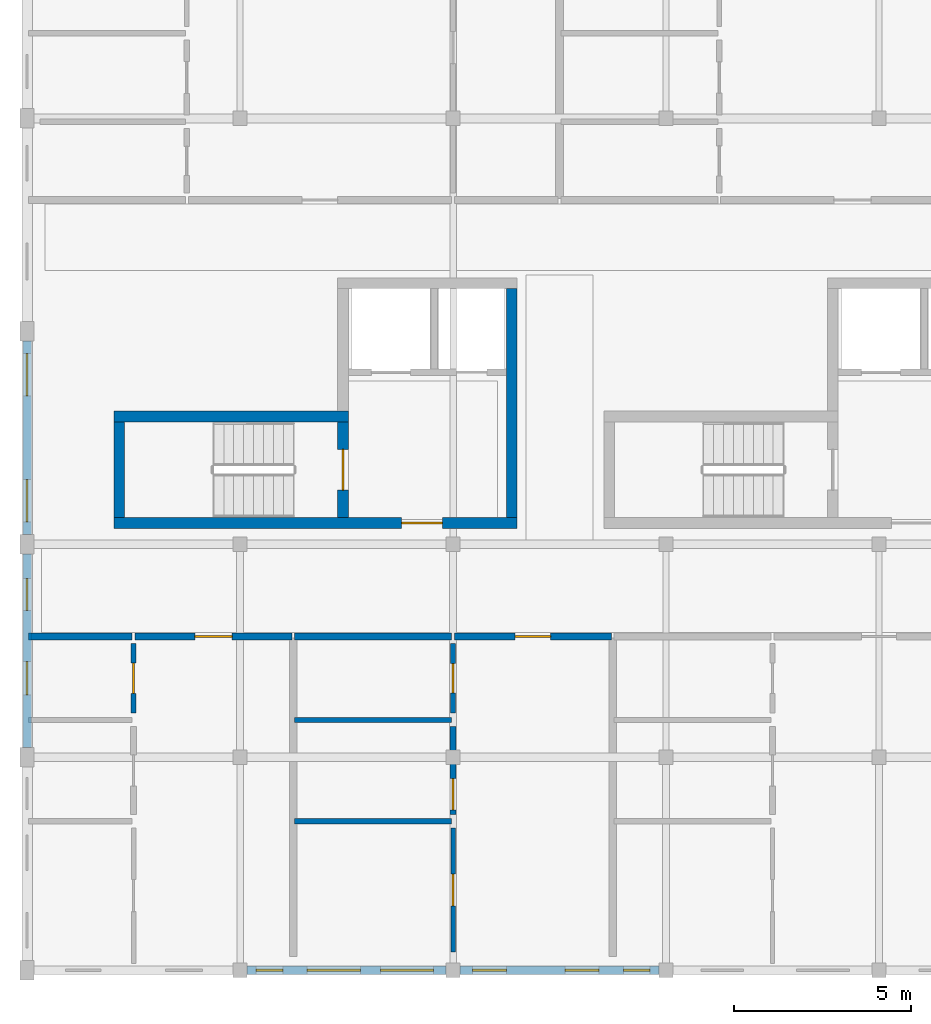
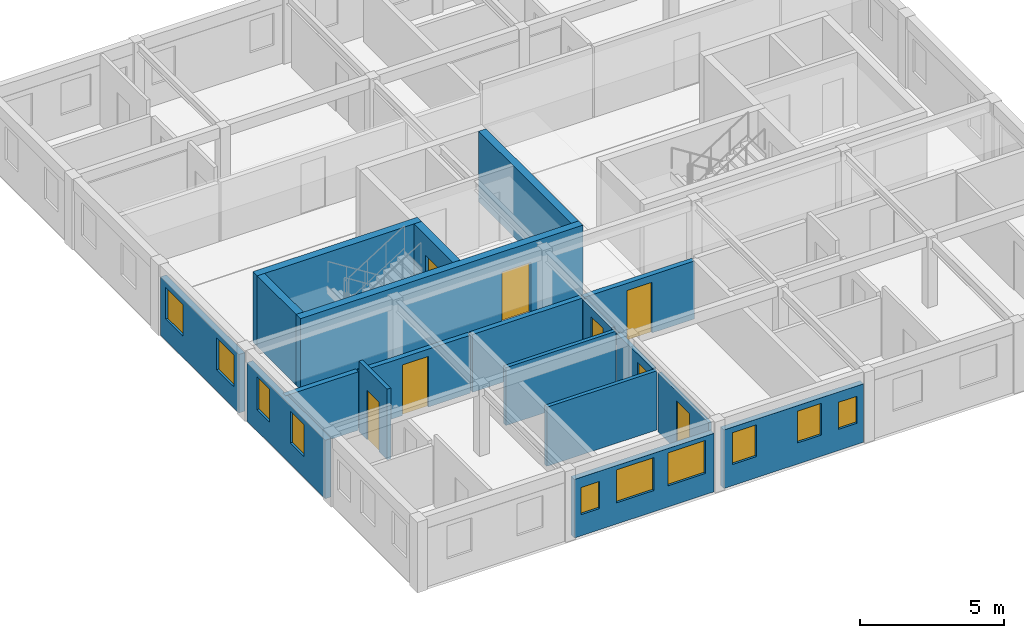
# One storey, part 2 of 7: 19 walls, 10 windows, 8 doors, 18 openings.
"""IFC4 building model written with IfcOpenShell, lengths in metres."""

from ifc_helpers import new_model, si_unit, direction, frame, frame_2d, origin, place, context, subcontext, project, spatial, rectangle, extrude, material, layer, layer_set, type_object, element, fill, save


model = new_model("IFC4")

# Units and contexts
model_context = context("Model", 3, precision=1e-05, world=origin(), true_north=direction((0.0, 1.0)))
body_context = subcontext(model_context, "Body", "Model", "MODEL_VIEW")
ifc_project = project(units=[si_unit("LENGTHUNIT", "METRE"), si_unit("AREAUNIT", "SQUARE_METRE"), si_unit("VOLUMEUNIT", "CUBIC_METRE"), si_unit("PLANEANGLEUNIT", "RADIAN"), si_unit("MASSUNIT", "GRAM", prefix="KILO"), si_unit("POWERUNIT", "WATT"), si_unit("THERMODYNAMICTEMPERATUREUNIT", "KELVIN")], contexts=[model_context])

# Site, building, storey
site_placement = place(None, origin())
site = spatial("IfcSite", under=ifc_project, at=site_placement, CompositionType="ELEMENT")
building_placement = place(site_placement, origin())
building = spatial("IfcBuilding", under=site, at=building_placement, Name="Ruvembo Vaulted Housing Court", CompositionType="ELEMENT")
storey_placement = place(building_placement, frame((0.0, 0.0, 39.699951171875)))
storey = spatial("IfcBuildingStorey", under=building, at=storey_placement, Name="L12", CompositionType="ELEMENT", Elevation=39.699951171875)

# Wall, opening, door
ifc_material_1 = material(Name="Concrete C35/45", Category="concrete")
ifc_layer_1 = layer(ifc_material_1, 0.300048828125, Name="Concrete C35/45")
ifc_layer_set_1 = layer_set([ifc_layer_1], Name="Concrete C35/45")
wall_type_1 = type_object("IfcWallType", Name="WL-CORE-300", PredefinedType="SHEAR", material=ifc_layer_set_1)
wall_1_placement = place(storey_placement, frame((2.449951171875, 18.60009765625, 0.0), z_axis=(0.0, 0.0, 1.0), x_axis=(1.0, 0.0, 0.0)))
wall_1 = element("IfcWall", 1, at=wall_1_placement, inside=storey, type_object=wall_type_1, Name="Core A1 L12 South Shear Wall", PredefinedType="SHEAR", context=body_context, shape_type="SweptSolid", body=[
    extrude(rectangle(XDim=11.35009765625, YDim=0.300048828125, at=frame_2d((5.675048828125, 0.0))), origin(), (0.0, 0.0, 1.0), 3.0),
])
opening_1_placement = place(wall_1_placement, frame((8.10009765625, 0.0, 0.0)))
opening_1 = element("IfcOpeningElement", 2, at=opening_1_placement, cuts=wall_1, Name="Opening LD0", PredefinedType="OPENING", context=body_context, shape_type="SweptSolid", body=[
    extrude(rectangle(XDim=1.14990234375, YDim=2.14990234375, at=frame_2d((0.574951171875, 1.074951171875))), frame((0.0, 0.159912109375, 0.0), z_axis=(0.0, -1.0, 0.0), x_axis=(1.0, 0.0, 0.0)), (0.0, 0.0, 1.0), 0.320068359375),
])
ifc_material_2 = material(Name="Galvanised Painted Steel", Category="steel")
door_type_1 = type_object("IfcDoorType", Name="DR-LOB-1150x2150", OperationType="NOTDEFINED", PredefinedType="DOOR", material=ifc_material_2)
door_1_placement = place(opening_1_placement, origin())
door_1 = element("IfcDoor", 3, at=door_1_placement, inside=storey, type_object=door_type_1, Name="Core A1 L12 Lobby Fire Door", OperationType="SINGLE_SWING_RIGHT", OverallHeight=2.14990234375, OverallWidth=1.14990234375, PredefinedType="DOOR", context=body_context, shape_type="SweptSolid", body=[
    extrude(rectangle(XDim=1.14990234375, YDim=2.14990234375, at=frame_2d((0.574951171875, 1.074951171875))), frame((0.0, 0.02490234375, 0.0), z_axis=(0.0, -1.0, 0.0), x_axis=(1.0, 0.0, 0.0)), (0.0, 0.0, 1.0), 0.050048828125),
])
fill(opening_1, door_1)

# Walls
wall_2_placement = place(storey_placement, frame((9.050048828125, 21.60009765625, 0.0), z_axis=(0.0, 0.0, 1.0), x_axis=(-1.0, 0.0, 0.0)))
element("IfcWall", 4, at=wall_2_placement, inside=storey, type_object=wall_type_1, Name="Core A1 L12 Stair North Shear Wall", PredefinedType="SHEAR", context=body_context, shape_type="SweptSolid", body=[
    extrude(rectangle(XDim=6.60009765625, YDim=0.300048828125, at=frame_2d((3.300048828125, 0.0))), origin(), (0.0, 0.0, 1.0), 3.0),
])
wall_3_placement = place(storey_placement, frame((2.60009765625, 21.449951171875, 0.0), z_axis=(0.0, 0.0, 1.0), x_axis=(0.0, -1.0, 0.0)))
element("IfcWall", 5, at=wall_3_placement, inside=storey, type_object=wall_type_1, Name="Core A1 L12 Stair West Shear Wall", PredefinedType="SHEAR", context=body_context, shape_type="SweptSolid", body=[
    extrude(rectangle(XDim=2.699951171875, YDim=0.300048828125, at=frame_2d((1.35009765625, 0.0))), origin(), (0.0, 0.0, 1.0), 3.0),
])

# Wall, opening, door
wall_4_placement = place(storey_placement, frame((8.89990234375, 18.75, 0.0), z_axis=(0.0, 0.0, 1.0), x_axis=(0.0, 1.0, 0.0)))
wall_4 = element("IfcWall", 6, at=wall_4_placement, inside=storey, type_object=wall_type_1, Name="Core A1 L12 Stair-Lobby Shear Wall", PredefinedType="SHEAR", context=body_context, shape_type="SweptSolid", body=[
    extrude(rectangle(XDim=2.699951171875, YDim=0.300048828125, at=frame_2d((1.35009765625, 0.0))), origin(), (0.0, 0.0, 1.0), 3.0),
])
opening_2_placement = place(wall_4_placement, frame((0.77490234375, 0.0, 0.0)))
opening_2 = element("IfcOpeningElement", 7, at=opening_2_placement, cuts=wall_4, Name="Opening SD1", PredefinedType="OPENING", context=body_context, shape_type="SweptSolid", body=[
    extrude(rectangle(XDim=1.14990234375, YDim=2.14990234375, at=frame_2d((0.574951171875, 1.074951171875))), frame((0.0, 0.159912109375, 0.0), z_axis=(0.0, -1.0, 0.0), x_axis=(1.0, 0.0, 0.0)), (0.0, 0.0, 1.0), 0.320068359375),
])
door_type_2 = type_object("IfcDoorType", Name="DR-STAIR-1150x2150", OperationType="NOTDEFINED", PredefinedType="DOOR", material=ifc_material_2)
door_2_placement = place(opening_2_placement, origin())
door_2 = element("IfcDoor", 8, at=door_2_placement, inside=storey, type_object=door_type_2, Name="Stair ST-A1 L12 Fire Door", OperationType="SINGLE_SWING_LEFT", OverallHeight=2.14990234375, OverallWidth=1.14990234375, PredefinedType="DOOR", context=body_context, shape_type="SweptSolid", body=[
    extrude(rectangle(XDim=1.14990234375, YDim=2.14990234375, at=frame_2d((0.574951171875, 1.074951171875))), frame((0.0, 0.02490234375, 0.0), z_axis=(0.0, -1.0, 0.0), x_axis=(1.0, 0.0, 0.0)), (0.0, 0.0, 1.0), 0.050048828125),
])
fill(opening_2, door_2)

# Walls
wall_5_placement = place(storey_placement, frame((13.64990234375, 18.75, 0.0), z_axis=(0.0, 0.0, 1.0), x_axis=(0.0, 1.0, 0.0)))
element("IfcWall", 9, at=wall_5_placement, inside=storey, type_object=wall_type_1, Name="Core A1 L12 East Shear Wall", PredefinedType="SHEAR", context=body_context, shape_type="SweptSolid", body=[
    extrude(rectangle(XDim=6.449951171875, YDim=0.300048828125, at=frame_2d((3.22509765625, 0.0))), origin(), (0.0, 0.0, 1.0), 3.0),
])
ifc_material_3 = material(Name="Concrete Blockwork 200", Category="masonry")
ifc_layer_2 = layer(ifc_material_3, 0.199951171875, Name="Concrete Blockwork 200")
ifc_layer_set_2 = layer_set([ifc_layer_2], Name="Concrete Blockwork 200")
wall_type_2 = type_object("IfcWallType", Name="WL-CORR-200", PredefinedType="SOLIDWALL", material=ifc_layer_set_2)
wall_6_placement = place(storey_placement, frame((0.0400390625, 15.39990234375, 0.0), z_axis=(0.0, 0.0, 1.0), x_axis=(1.0, 0.0, 0.0)))
element("IfcWall", 10, at=wall_6_placement, inside=storey, type_object=wall_type_2, Name="L12 Flat A-L12-S1 Corridor Wall WL-INT-L12-02307", PredefinedType="SOLIDWALL", context=body_context, shape_type="SweptSolid", body=[
    extrude(rectangle(XDim=2.919921875, YDim=0.199951171875, at=frame_2d((1.4599609375, 0.0))), origin(), (0.0, 0.0, 1.0), 2.48193359375),
])

# Wall, opening, door
wall_7_placement = place(storey_placement, frame((3.0400390625, 15.39990234375, 0.0), z_axis=(0.0, 0.0, 1.0), x_axis=(1.0, 0.0, 0.0)))
wall_7 = element("IfcWall", 11, at=wall_7_placement, inside=storey, type_object=wall_type_2, Name="L12 Flat A-L12-S1 Entrance WL-INT-L12-02308", PredefinedType="SOLIDWALL", context=body_context, shape_type="SweptSolid", body=[
    extrude(rectangle(XDim=4.419921875, YDim=0.199951171875, at=frame_2d((2.2099609375, 0.0))), origin(), (0.0, 0.0, 1.0), 2.4580078125),
])
opening_3_placement = place(wall_7_placement, frame((1.68505859375, 0.0, 0.0)))
opening_3 = element("IfcOpeningElement", 12, at=opening_3_placement, cuts=wall_7, Name="Opening FD3", PredefinedType="OPENING", context=body_context, shape_type="SweptSolid", body=[
    extrude(rectangle(XDim=1.050048828125, YDim=2.14990234375, at=frame_2d((0.52490234375, 1.074951171875))), frame((0.0, 0.10986328125, 0.0), z_axis=(0.0, -1.0, 0.0), x_axis=(1.0, 0.0, 0.0)), (0.0, 0.0, 1.0), 0.219970703125),
])
ifc_material_4 = material(Name="FSC Hardwood and Engineered Timber", Category="wood")
door_type_3 = type_object("IfcDoorType", Name="DR-FLAT-1050x2150", OperationType="NOTDEFINED", PredefinedType="DOOR", material=ifc_material_4)
door_3_placement = place(opening_3_placement, origin())
door_3 = element("IfcDoor", 13, at=door_3_placement, inside=storey, type_object=door_type_3, Name="L12 Flat A-L12-S1 Entrance Door DR-INT-L12-01277", OperationType="SINGLE_SWING_LEFT", OverallHeight=2.14990234375, OverallWidth=1.050048828125, PredefinedType="DOOR", context=body_context, shape_type="SweptSolid", body=[
    extrude(rectangle(XDim=1.050048828125, YDim=2.14990234375, at=frame_2d((0.52490234375, 1.074951171875))), frame((0.0, 0.02490234375, 0.0), z_axis=(0.0, -1.0, 0.0), x_axis=(1.0, 0.0, 0.0)), (0.0, 0.0, 1.0), 0.050048828125),
])
fill(opening_3, door_3)

# Wall
wall_8_placement = place(storey_placement, frame((7.5400390625, 15.39990234375, 0.0), z_axis=(0.0, 0.0, 1.0), x_axis=(1.0, 0.0, 0.0)))
element("IfcWall", 14, at=wall_8_placement, inside=storey, type_object=wall_type_2, Name="L12 Flat A-L12-S2 Corridor Wall WL-INT-L12-02315", PredefinedType="SOLIDWALL", context=body_context, shape_type="SweptSolid", body=[
    extrude(rectangle(XDim=4.419921875, YDim=0.199951171875, at=frame_2d((2.2099609375, 0.0))), origin(), (0.0, 0.0, 1.0), 2.4580078125),
])

# Wall, opening, door
wall_9_placement = place(storey_placement, frame((12.0400390625, 15.39990234375, 0.0), z_axis=(0.0, 0.0, 1.0), x_axis=(1.0, 0.0, 0.0)))
wall_9 = element("IfcWall", 15, at=wall_9_placement, inside=storey, type_object=wall_type_2, Name="L12 Flat A-L12-S2 Entrance WL-INT-L12-02316", PredefinedType="SOLIDWALL", context=body_context, shape_type="SweptSolid", body=[
    extrude(rectangle(XDim=4.419921875, YDim=0.199951171875, at=frame_2d((2.2099609375, 0.0))), origin(), (0.0, 0.0, 1.0), 2.4580078125),
])
opening_4_placement = place(wall_9_placement, frame((1.7099609375, 0.0, 0.0)))
opening_4 = element("IfcOpeningElement", 16, at=opening_4_placement, cuts=wall_9, Name="Opening FD1", PredefinedType="OPENING", context=body_context, shape_type="SweptSolid", body=[
    extrude(rectangle(XDim=1.0, YDim=2.14990234375, at=frame_2d((0.5, 1.074951171875))), frame((0.0, 0.10986328125, 0.0), z_axis=(0.0, -1.0, 0.0), x_axis=(1.0, 0.0, 0.0)), (0.0, 0.0, 1.0), 0.219970703125),
])
door_type_4 = type_object("IfcDoorType", Name="DR-FLAT-1000x2150", OperationType="NOTDEFINED", PredefinedType="DOOR", material=ifc_material_4)
door_4_placement = place(opening_4_placement, origin())
door_4 = element("IfcDoor", 17, at=door_4_placement, inside=storey, type_object=door_type_4, Name="L12 Flat A-L12-S2 Entrance Door DR-INT-L12-01281", OperationType="SINGLE_SWING_LEFT", OverallHeight=2.14990234375, OverallWidth=1.0, PredefinedType="DOOR", context=body_context, shape_type="SweptSolid", body=[
    extrude(rectangle(XDim=1.0, YDim=2.14990234375, at=frame_2d((0.5, 1.074951171875))), frame((0.0, 0.02490234375, 0.0), z_axis=(0.0, -1.0, 0.0), x_axis=(1.0, 0.0, 0.0)), (0.0, 0.0, 1.0), 0.050048828125),
])
fill(opening_4, door_4)

# Wall, openings, windows
ifc_material_5 = material(Name="Rendered Masonry 235", Category="masonry")
ifc_layer_3 = layer(ifc_material_5, 0.235107421875, Name="Rendered Masonry 235")
ifc_layer_set_3 = layer_set([ifc_layer_3], Name="Rendered Masonry 235")
wall_type_3 = type_object("IfcWallType", Name="WL-EXT-235", PredefinedType="STANDARD", material=ifc_layer_set_3)
wall_10_placement = place(storey_placement, frame((6.199951171875, 6.0, 0.0), z_axis=(0.0, 0.0, 1.0), x_axis=(1.0, 0.0, 0.0)))
wall_10 = element("IfcWall", 18, at=wall_10_placement, inside=storey, type_object=wall_type_3, Name="Block A L12 Exterior Wall STREET #2", PredefinedType="STANDARD", context=body_context, shape_type="SweptSolid", body=[
    extrude(rectangle(XDim=5.60009765625, YDim=0.235107421875, at=frame_2d((2.800048828125, 0.0))), origin(), (0.0, 0.0, 1.0), 2.48193359375),
])
opening_5_placement = place(wall_10_placement, frame((0.2548828125, 0.0, 0.89990234375)))
opening_5 = element("IfcOpeningElement", 19, at=opening_5_placement, cuts=wall_10, Name="Opening W01", PredefinedType="OPENING", context=body_context, shape_type="SweptSolid", body=[
    extrude(rectangle(XDim=0.75, YDim=1.14990234375, at=frame_2d((0.375, 0.574951171875))), frame((0.0, 0.12744140625, 0.0), z_axis=(0.0, -1.0, 0.0), x_axis=(1.0, 0.0, 0.0)), (0.0, 0.0, 1.0), 0.255126953125),
])
opening_6_placement = place(wall_10_placement, frame((1.68994140625, 0.0, 0.89990234375)))
opening_6 = element("IfcOpeningElement", 20, at=opening_6_placement, cuts=wall_10, Name="Opening W18", PredefinedType="OPENING", context=body_context, shape_type="SweptSolid", body=[
    extrude(rectangle(XDim=1.5, YDim=1.39990234375, at=frame_2d((0.75, 0.699951171875))), frame((0.0, 0.12744140625, 0.0), z_axis=(0.0, -1.0, 0.0), x_axis=(1.0, 0.0, 0.0)), (0.0, 0.0, 1.0), 0.255126953125),
])
opening_7_placement = place(wall_10_placement, frame((3.75, 0.0, 0.89990234375)))
opening_7 = element("IfcOpeningElement", 21, at=opening_7_placement, cuts=wall_10, Name="Opening W18", PredefinedType="OPENING", context=body_context, shape_type="SweptSolid", body=[
    extrude(rectangle(XDim=1.5, YDim=1.39990234375, at=frame_2d((0.75, 0.699951171875))), frame((0.0, 0.12744140625, 0.0), z_axis=(0.0, -1.0, 0.0), x_axis=(1.0, 0.0, 0.0)), (0.0, 0.0, 1.0), 0.255126953125),
])
ifc_material_6 = material(Name="Double Solar-Control Glazing in Aluminium Frame", Category="aluminium")
window_type_1 = type_object("IfcWindowType", Name="WIN-0750x1150", PartitioningType="SINGLE_PANEL", PredefinedType="WINDOW", material=ifc_material_6)
window_1_placement = place(opening_5_placement, origin())
window_1 = element("IfcWindow", 22, at=window_1_placement, inside=storey, type_object=window_type_1, Name="Block A L12 Window #514", OverallHeight=1.14990234375, OverallWidth=0.75, PartitioningType="SINGLE_PANEL", PredefinedType="WINDOW", context=body_context, shape_type="SweptSolid", body=[
    extrude(rectangle(XDim=0.75, YDim=1.14990234375, at=frame_2d((0.375, 0.574951171875))), frame((0.0, 0.030029296875, 0.0), z_axis=(0.0, -1.0, 0.0), x_axis=(1.0, 0.0, 0.0)), (0.0, 0.0, 1.0), 0.06005859375),
])
fill(opening_5, window_1)
window_type_2 = type_object("IfcWindowType", Name="WIN-1500x1400", PartitioningType="SINGLE_PANEL", PredefinedType="WINDOW", material=ifc_material_6)
window_2_placement = place(opening_6_placement, origin())
window_2 = element("IfcWindow", 23, at=window_2_placement, inside=storey, type_object=window_type_2, Name="Block A L12 Window #515", OverallHeight=1.39990234375, OverallWidth=1.5, PartitioningType="SINGLE_PANEL", PredefinedType="WINDOW", context=body_context, shape_type="SweptSolid", body=[
    extrude(rectangle(XDim=1.5, YDim=1.39990234375, at=frame_2d((0.75, 0.699951171875))), frame((0.0, 0.030029296875, 0.0), z_axis=(0.0, -1.0, 0.0), x_axis=(1.0, 0.0, 0.0)), (0.0, 0.0, 1.0), 0.06005859375),
])
fill(opening_6, window_2)
window_3_placement = place(opening_7_placement, origin())
window_3 = element("IfcWindow", 24, at=window_3_placement, inside=storey, type_object=window_type_2, Name="Block A L12 Window #516", OverallHeight=1.39990234375, OverallWidth=1.5, PartitioningType="SINGLE_PANEL", PredefinedType="WINDOW", context=body_context, shape_type="SweptSolid", body=[
    extrude(rectangle(XDim=1.5, YDim=1.39990234375, at=frame_2d((0.75, 0.699951171875))), frame((0.0, 0.030029296875, 0.0), z_axis=(0.0, -1.0, 0.0), x_axis=(1.0, 0.0, 0.0)), (0.0, 0.0, 1.0), 0.06005859375),
])
fill(opening_7, window_3)

wall_11_placement = place(storey_placement, frame((12.199951171875, 6.0, 0.0), z_axis=(0.0, 0.0, 1.0), x_axis=(1.0, 0.0, 0.0)))
wall_11 = element("IfcWall", 25, at=wall_11_placement, inside=storey, type_object=wall_type_3, Name="Block A L12 Exterior Wall STREET #3", PredefinedType="STANDARD", context=body_context, shape_type="SweptSolid", body=[
    extrude(rectangle(XDim=5.60009765625, YDim=0.235107421875, at=frame_2d((2.800048828125, 0.0))), origin(), (0.0, 0.0, 1.0), 2.48193359375),
])
opening_8_placement = place(wall_11_placement, frame((0.35009765625, 0.0, 0.89990234375)))
opening_8 = element("IfcOpeningElement", 26, at=opening_8_placement, cuts=wall_11, Name="Opening W07", PredefinedType="OPENING", context=body_context, shape_type="SweptSolid", body=[
    extrude(rectangle(XDim=0.949951171875, YDim=1.35009765625, at=frame_2d((0.47509765625, 0.675048828125))), frame((0.0, 0.12744140625, 0.0), z_axis=(0.0, -1.0, 0.0), x_axis=(1.0, 0.0, 0.0)), (0.0, 0.0, 1.0), 0.255126953125),
])
opening_9_placement = place(wall_11_placement, frame((2.9599609375, 0.0, 0.89990234375)))
opening_9 = element("IfcOpeningElement", 27, at=opening_9_placement, cuts=wall_11, Name="Opening W07", PredefinedType="OPENING", context=body_context, shape_type="SweptSolid", body=[
    extrude(rectangle(XDim=0.949951171875, YDim=1.35009765625, at=frame_2d((0.47509765625, 0.675048828125))), frame((0.0, 0.12744140625, 0.0), z_axis=(0.0, -1.0, 0.0), x_axis=(1.0, 0.0, 0.0)), (0.0, 0.0, 1.0), 0.255126953125),
])
opening_10_placement = place(wall_11_placement, frame((4.594970703125, 0.0, 0.89990234375)))
opening_10 = element("IfcOpeningElement", 28, at=opening_10_placement, cuts=wall_11, Name="Opening W01", PredefinedType="OPENING", context=body_context, shape_type="SweptSolid", body=[
    extrude(rectangle(XDim=0.75, YDim=1.14990234375, at=frame_2d((0.375, 0.574951171875))), frame((0.0, 0.12744140625, 0.0), z_axis=(0.0, -1.0, 0.0), x_axis=(1.0, 0.0, 0.0)), (0.0, 0.0, 1.0), 0.255126953125),
])
window_4_placement = place(opening_10_placement, origin())
window_4 = element("IfcWindow", 29, at=window_4_placement, inside=storey, type_object=window_type_1, Name="Block A L12 Window #519", OverallHeight=1.14990234375, OverallWidth=0.75, PartitioningType="SINGLE_PANEL", PredefinedType="WINDOW", context=body_context, shape_type="SweptSolid", body=[
    extrude(rectangle(XDim=0.75, YDim=1.14990234375, at=frame_2d((0.375, 0.574951171875))), frame((0.0, 0.030029296875, 0.0), z_axis=(0.0, -1.0, 0.0), x_axis=(1.0, 0.0, 0.0)), (0.0, 0.0, 1.0), 0.06005859375),
])
fill(opening_10, window_4)
window_type_3 = type_object("IfcWindowType", Name="WIN-0950x1350", PartitioningType="SINGLE_PANEL", PredefinedType="WINDOW", material=ifc_material_6)
window_5_placement = place(opening_8_placement, origin())
window_5 = element("IfcWindow", 30, at=window_5_placement, inside=storey, type_object=window_type_3, Name="Block A L12 Window #517", OverallHeight=1.35009765625, OverallWidth=0.949951171875, PartitioningType="SINGLE_PANEL", PredefinedType="WINDOW", context=body_context, shape_type="SweptSolid", body=[
    extrude(rectangle(XDim=0.949951171875, YDim=1.35009765625, at=frame_2d((0.47509765625, 0.675048828125))), frame((0.0, 0.030029296875, 0.0), z_axis=(0.0, -1.0, 0.0), x_axis=(1.0, 0.0, 0.0)), (0.0, 0.0, 1.0), 0.06005859375),
])
fill(opening_8, window_5)
window_6_placement = place(opening_9_placement, origin())
window_6 = element("IfcWindow", 31, at=window_6_placement, inside=storey, type_object=window_type_3, Name="Block A L12 Window #518", OverallHeight=1.35009765625, OverallWidth=0.949951171875, PartitioningType="SINGLE_PANEL", PredefinedType="WINDOW", context=body_context, shape_type="SweptSolid", body=[
    extrude(rectangle(XDim=0.949951171875, YDim=1.35009765625, at=frame_2d((0.47509765625, 0.675048828125))), frame((0.0, 0.030029296875, 0.0), z_axis=(0.0, -1.0, 0.0), x_axis=(1.0, 0.0, 0.0)), (0.0, 0.0, 1.0), 0.06005859375),
])
fill(opening_9, window_6)

wall_12_placement = place(storey_placement, frame((0.0, 23.72509765625, 0.0), z_axis=(0.0, 0.0, 1.0), x_axis=(0.0, -1.0, 0.0)))
wall_12 = element("IfcWall", 32, at=wall_12_placement, inside=storey, type_object=wall_type_3, Name="Block A L12 Exterior Wall WEST #3", PredefinedType="STANDARD", context=body_context, shape_type="SweptSolid", body=[
    extrude(rectangle(XDim=5.4501953125, YDim=0.235107421875, at=frame_2d((2.72509765625, 0.0))), origin(), (0.0, 0.0, 1.0), 2.48193359375),
])
opening_11_placement = place(wall_12_placement, frame((0.35009765625, 0.0, 0.89990234375)))
opening_11 = element("IfcOpeningElement", 33, at=opening_11_placement, cuts=wall_12, Name="Opening W12", PredefinedType="OPENING", context=body_context, shape_type="SweptSolid", body=[
    extrude(rectangle(XDim=1.199951171875, YDim=1.35009765625, at=frame_2d((0.60009765625, 0.675048828125))), frame((0.0, 0.12744140625, 0.0), z_axis=(0.0, -1.0, 0.0), x_axis=(1.0, 0.0, 0.0)), (0.0, 0.0, 1.0), 0.255126953125),
])
opening_12_placement = place(wall_12_placement, frame((3.89990234375, 0.0, 0.89990234375)))
opening_12 = element("IfcOpeningElement", 34, at=opening_12_placement, cuts=wall_12, Name="Opening W12", PredefinedType="OPENING", context=body_context, shape_type="SweptSolid", body=[
    extrude(rectangle(XDim=1.199951171875, YDim=1.35009765625, at=frame_2d((0.60009765625, 0.675048828125))), frame((0.0, 0.12744140625, 0.0), z_axis=(0.0, -1.0, 0.0), x_axis=(1.0, 0.0, 0.0)), (0.0, 0.0, 1.0), 0.255126953125),
])
window_type_4 = type_object("IfcWindowType", Name="WIN-1200x1350", PartitioningType="SINGLE_PANEL", PredefinedType="WINDOW", material=ifc_material_6)
window_7_placement = place(opening_11_placement, origin())
window_7 = element("IfcWindow", 35, at=window_7_placement, inside=storey, type_object=window_type_4, Name="Block A L12 Window #550", OverallHeight=1.35009765625, OverallWidth=1.199951171875, PartitioningType="SINGLE_PANEL", PredefinedType="WINDOW", context=body_context, shape_type="SweptSolid", body=[
    extrude(rectangle(XDim=1.199951171875, YDim=1.35009765625, at=frame_2d((0.60009765625, 0.675048828125))), frame((0.0, 0.030029296875, 0.0), z_axis=(0.0, -1.0, 0.0), x_axis=(1.0, 0.0, 0.0)), (0.0, 0.0, 1.0), 0.06005859375),
])
fill(opening_11, window_7)
window_8_placement = place(opening_12_placement, origin())
window_8 = element("IfcWindow", 36, at=window_8_placement, inside=storey, type_object=window_type_4, Name="Block A L12 Window #551", OverallHeight=1.35009765625, OverallWidth=1.199951171875, PartitioningType="SINGLE_PANEL", PredefinedType="WINDOW", context=body_context, shape_type="SweptSolid", body=[
    extrude(rectangle(XDim=1.199951171875, YDim=1.35009765625, at=frame_2d((0.60009765625, 0.675048828125))), frame((0.0, 0.030029296875, 0.0), z_axis=(0.0, -1.0, 0.0), x_axis=(1.0, 0.0, 0.0)), (0.0, 0.0, 1.0), 0.06005859375),
])
fill(opening_12, window_8)

wall_13_placement = place(storey_placement, frame((0.0, 17.72509765625, 0.0), z_axis=(0.0, 0.0, 1.0), x_axis=(0.0, -1.0, 0.0)))
wall_13 = element("IfcWall", 37, at=wall_13_placement, inside=storey, type_object=wall_type_3, Name="Block A L12 Exterior Wall WEST #4", PredefinedType="STANDARD", context=body_context, shape_type="SweptSolid", body=[
    extrude(rectangle(XDim=5.4501953125, YDim=0.235107421875, at=frame_2d((2.72509765625, 0.0))), origin(), (0.0, 0.0, 1.0), 2.48193359375),
])
opening_13_placement = place(wall_13_placement, frame((0.6923828125, 0.0, 0.89990234375)))
opening_13 = element("IfcOpeningElement", 38, at=opening_13_placement, cuts=wall_13, Name="Opening W05", PredefinedType="OPENING", context=body_context, shape_type="SweptSolid", body=[
    extrude(rectangle(XDim=0.89990234375, YDim=1.39990234375, at=frame_2d((0.449951171875, 0.699951171875))), frame((0.0, 0.12744140625, 0.0), z_axis=(0.0, -1.0, 0.0), x_axis=(1.0, 0.0, 0.0)), (0.0, 0.0, 1.0), 0.255126953125),
])
opening_14_placement = place(wall_13_placement, frame((3.02490234375, 0.0, 0.89990234375)))
opening_14 = element("IfcOpeningElement", 39, at=opening_14_placement, cuts=wall_13, Name="Opening W07", PredefinedType="OPENING", context=body_context, shape_type="SweptSolid", body=[
    extrude(rectangle(XDim=0.949951171875, YDim=1.35009765625, at=frame_2d((0.47509765625, 0.675048828125))), frame((0.0, 0.12744140625, 0.0), z_axis=(0.0, -1.0, 0.0), x_axis=(1.0, 0.0, 0.0)), (0.0, 0.0, 1.0), 0.255126953125),
])
window_type_5 = type_object("IfcWindowType", Name="WIN-0900x1400", PartitioningType="SINGLE_PANEL", PredefinedType="WINDOW", material=ifc_material_6)
window_9_placement = place(opening_13_placement, origin())
window_9 = element("IfcWindow", 40, at=window_9_placement, inside=storey, type_object=window_type_5, Name="Block A L12 Window #552", OverallHeight=1.39990234375, OverallWidth=0.89990234375, PartitioningType="SINGLE_PANEL", PredefinedType="WINDOW", context=body_context, shape_type="SweptSolid", body=[
    extrude(rectangle(XDim=0.89990234375, YDim=1.39990234375, at=frame_2d((0.449951171875, 0.699951171875))), frame((0.0, 0.030029296875, 0.0), z_axis=(0.0, -1.0, 0.0), x_axis=(1.0, 0.0, 0.0)), (0.0, 0.0, 1.0), 0.06005859375),
])
fill(opening_13, window_9)
window_10_placement = place(opening_14_placement, origin())
window_10 = element("IfcWindow", 41, at=window_10_placement, inside=storey, type_object=window_type_3, Name="Block A L12 Window #553", OverallHeight=1.35009765625, OverallWidth=0.949951171875, PartitioningType="SINGLE_PANEL", PredefinedType="WINDOW", context=body_context, shape_type="SweptSolid", body=[
    extrude(rectangle(XDim=0.949951171875, YDim=1.35009765625, at=frame_2d((0.47509765625, 0.675048828125))), frame((0.0, 0.030029296875, 0.0), z_axis=(0.0, -1.0, 0.0), x_axis=(1.0, 0.0, 0.0)), (0.0, 0.0, 1.0), 0.06005859375),
])
fill(opening_14, window_10)

# Wall, opening, door
ifc_material_7 = material(Name="Plasterboard Stud Partition 125", Category="gypsum")
ifc_layer_4 = layer(ifc_material_7, 0.125, Name="Plasterboard Stud Partition 125")
ifc_layer_set_4 = layer_set([ifc_layer_4], Name="Plasterboard Stud Partition 125")
wall_type_4 = type_object("IfcWallType", Name="WL-PART-125", PredefinedType="PARTITIONING", material=ifc_layer_set_4)
wall_14_placement = place(storey_placement, frame((12.0, 6.510009765625, 0.0), z_axis=(0.0, 0.0, 1.0), x_axis=(0.0, 1.0, 0.0)))
wall_14 = element("IfcWall", 42, at=wall_14_placement, inside=storey, type_object=wall_type_4, Name="L12 Flat A-L12-S2 Bedroom 1 WL-INT-L12-02317", PredefinedType="PARTITIONING", context=body_context, shape_type="SweptSolid", body=[
    extrude(rectangle(XDim=3.5, YDim=0.125, at=frame_2d((1.75, 0.0))), origin(), (0.0, 0.0, 1.0), 2.508056640625),
])
opening_15_placement = place(wall_14_placement, frame((1.300048828125, 0.0, 0.0)))
opening_15 = element("IfcOpeningElement", 43, at=opening_15_placement, cuts=wall_14, Name="Opening ID1", PredefinedType="OPENING", context=body_context, shape_type="SweptSolid", body=[
    extrude(rectangle(XDim=0.89990234375, YDim=2.10009765625, at=frame_2d((0.449951171875, 1.050048828125))), frame((0.0, 0.072509765625, 0.0), z_axis=(0.0, -1.0, 0.0), x_axis=(1.0, 0.0, 0.0)), (0.0, 0.0, 1.0), 0.14501953125),
])
door_type_5 = type_object("IfcDoorType", Name="DR-ROOM-0900x2100", OperationType="NOTDEFINED", PredefinedType="DOOR", material=ifc_material_4)
door_5_placement = place(opening_15_placement, origin())
door_5 = element("IfcDoor", 44, at=door_5_placement, inside=storey, type_object=door_type_5, Name="L12 Flat A-L12-S2 Bedroom 1 Door DR-INT-L12-01282", OperationType="SINGLE_SWING_RIGHT", OverallHeight=2.10009765625, OverallWidth=0.89990234375, PredefinedType="DOOR", context=body_context, shape_type="SweptSolid", body=[
    extrude(rectangle(XDim=0.89990234375, YDim=2.10009765625, at=frame_2d((0.449951171875, 1.050048828125))), frame((0.0, 0.02490234375, 0.0), z_axis=(0.0, -1.0, 0.0), x_axis=(1.0, 0.0, 0.0)), (0.0, 0.0, 1.0), 0.050048828125),
])
fill(opening_15, door_5)

ifc_material_8 = material(Name="Moisture-Resistant Wet Partition 150", Category="gypsum")
ifc_layer_5 = layer(ifc_material_8, 0.14990234375, Name="Moisture-Resistant Wet Partition 150")
ifc_layer_set_5 = layer_set([ifc_layer_5], Name="Moisture-Resistant Wet Partition 150")
wall_type_5 = type_object("IfcWallType", Name="WL-PART-150", PredefinedType="PARTITIONING", material=ifc_layer_set_5)
wall_15_placement = place(storey_placement, frame((3.0, 13.239990234375, 0.0), z_axis=(0.0, 0.0, 1.0), x_axis=(0.0, 1.0, 0.0)))
wall_15 = element("IfcWall", 45, at=wall_15_placement, inside=storey, type_object=wall_type_5, Name="L12 Flat A-L12-S1 Bathroom WL-INT-L12-02311", PredefinedType="PARTITIONING", context=body_context, shape_type="SweptSolid", body=[
    extrude(rectangle(XDim=1.969970703125, YDim=0.14990234375, at=frame_2d((0.98486328125, 0.0))), origin(), (0.0, 0.0, 1.0), 3.0),
])
opening_16_placement = place(wall_15_placement, frame((0.56005859375, 0.0, 0.0)))
opening_16 = element("IfcOpeningElement", 46, at=opening_16_placement, cuts=wall_15, Name="Opening ID2", PredefinedType="OPENING", context=body_context, shape_type="SweptSolid", body=[
    extrude(rectangle(XDim=0.85009765625, YDim=2.10009765625, at=frame_2d((0.425048828125, 1.050048828125))), frame((0.0, 0.0849609375, 0.0), z_axis=(0.0, -1.0, 0.0), x_axis=(1.0, 0.0, 0.0)), (0.0, 0.0, 1.0), 0.169921875),
])
door_type_6 = type_object("IfcDoorType", Name="DR-WET-0850x2100", OperationType="NOTDEFINED", PredefinedType="DOOR", material=ifc_material_4)
door_6_placement = place(opening_16_placement, origin())
door_6 = element("IfcDoor", 47, at=door_6_placement, inside=storey, type_object=door_type_6, Name="L12 Flat A-L12-S1 Bathroom Door DR-INT-L12-01280", OperationType="SINGLE_SWING_RIGHT", OverallHeight=2.10009765625, OverallWidth=0.85009765625, PredefinedType="DOOR", context=body_context, shape_type="SweptSolid", body=[
    extrude(rectangle(XDim=0.85009765625, YDim=2.10009765625, at=frame_2d((0.425048828125, 1.050048828125))), frame((0.0, 0.02490234375, 0.0), z_axis=(0.0, -1.0, 0.0), x_axis=(1.0, 0.0, 0.0)), (0.0, 0.0, 1.0), 0.050048828125),
])
fill(opening_16, door_6)

wall_16_placement = place(storey_placement, frame((12.0, 13.239990234375, 0.0), z_axis=(0.0, 0.0, 1.0), x_axis=(0.0, 1.0, 0.0)))
wall_16 = element("IfcWall", 48, at=wall_16_placement, inside=storey, type_object=wall_type_5, Name="L12 Flat A-L12-S2 Bathroom WL-INT-L12-02319", PredefinedType="PARTITIONING", context=body_context, shape_type="SweptSolid", body=[
    extrude(rectangle(XDim=1.969970703125, YDim=0.14990234375, at=frame_2d((0.98486328125, 0.0))), origin(), (0.0, 0.0, 1.0), 2.4580078125),
])
opening_17_placement = place(wall_16_placement, frame((0.574951171875, 0.0, 0.0)))
opening_17 = element("IfcOpeningElement", 49, at=opening_17_placement, cuts=wall_16, Name="Opening ID4", PredefinedType="OPENING", context=body_context, shape_type="SweptSolid", body=[
    extrude(rectangle(XDim=0.820068359375, YDim=2.080078125, at=frame_2d((0.41015625, 1.0400390625))), frame((0.0, 0.0849609375, 0.0), z_axis=(0.0, -1.0, 0.0), x_axis=(1.0, 0.0, 0.0)), (0.0, 0.0, 1.0), 0.169921875),
])
door_type_7 = type_object("IfcDoorType", Name="DR-WET-0820x2080", OperationType="NOTDEFINED", PredefinedType="DOOR", material=ifc_material_4)
door_7_placement = place(opening_17_placement, origin())
door_7 = element("IfcDoor", 50, at=door_7_placement, inside=storey, type_object=door_type_7, Name="L12 Flat A-L12-S2 Bathroom Door DR-INT-L12-01284", OperationType="SINGLE_SWING_RIGHT", OverallHeight=2.080078125, OverallWidth=0.820068359375, PredefinedType="DOOR", context=body_context, shape_type="SweptSolid", body=[
    extrude(rectangle(XDim=0.820068359375, YDim=2.080078125, at=frame_2d((0.41015625, 1.0400390625))), frame((0.0, 0.02490234375, 0.0), z_axis=(0.0, -1.0, 0.0), x_axis=(1.0, 0.0, 0.0)), (0.0, 0.0, 1.0), 0.050048828125),
])
fill(opening_17, door_7)

# Walls
wall_17_placement = place(storey_placement, frame((7.5400390625, 10.199951171875, 0.0), z_axis=(0.0, 0.0, 1.0), x_axis=(1.0, 0.0, 0.0)))
element("IfcWall", 51, at=wall_17_placement, inside=storey, type_object=wall_type_5, Name="L12 Flat A-L12-S2 Wet Wall 1 WL-INT-L12-02320", PredefinedType="PARTITIONING", context=body_context, shape_type="SweptSolid", body=[
    extrude(rectangle(XDim=4.419921875, YDim=0.14990234375, at=frame_2d((2.2099609375, 0.0))), origin(), (0.0, 0.0, 1.0), 2.508056640625),
])
wall_18_placement = place(storey_placement, frame((7.5400390625, 13.050048828125, 0.0), z_axis=(0.0, 0.0, 1.0), x_axis=(1.0, 0.0, 0.0)))
element("IfcWall", 52, at=wall_18_placement, inside=storey, type_object=wall_type_5, Name="L12 Flat A-L12-S2 Wet Wall 2 WL-INT-L12-02321", PredefinedType="PARTITIONING", context=body_context, shape_type="SweptSolid", body=[
    extrude(rectangle(XDim=4.419921875, YDim=0.14990234375, at=frame_2d((2.2099609375, 0.0))), origin(), (0.0, 0.0, 1.0), 2.4580078125),
])

# Wall, opening, door
ifc_material_9 = material(Name="Acoustic Service Chase Wall 160", Category="gypsum")
ifc_layer_6 = layer(ifc_material_9, 0.159912109375, Name="Acoustic Service Chase Wall 160")
ifc_layer_set_6 = layer_set([ifc_layer_6], Name="Acoustic Service Chase Wall 160")
wall_type_6 = type_object("IfcWallType", Name="WL-PLUMB-160", PredefinedType="PLUMBINGWALL", material=ifc_layer_set_6)
wall_19_placement = place(storey_placement, frame((12.0, 10.389892578125, 0.0), z_axis=(0.0, 0.0, 1.0), x_axis=(0.0, 1.0, 0.0)))
wall_19 = element("IfcWall", 53, at=wall_19_placement, inside=storey, type_object=wall_type_6, Name="L12 Flat A-L12-S2 Kitchen WL-INT-L12-02318", PredefinedType="PLUMBINGWALL", context=body_context, shape_type="SweptSolid", body=[
    extrude(rectangle(XDim=2.47021484375, YDim=0.159912109375, at=frame_2d((1.235107421875, 0.0))), origin(), (0.0, 0.0, 1.0), 2.4580078125),
])
opening_18_placement = place(wall_19_placement, frame((0.1298828125, 0.0, 0.0)))
opening_18 = element("IfcOpeningElement", 54, at=opening_18_placement, cuts=wall_19, Name="Opening ID3", PredefinedType="OPENING", context=body_context, shape_type="SweptSolid", body=[
    extrude(rectangle(XDim=0.8798828125, YDim=2.10009765625, at=frame_2d((0.43994140625, 1.050048828125))), frame((0.0, 0.08984375, 0.0), z_axis=(0.0, -1.0, 0.0), x_axis=(1.0, 0.0, 0.0)), (0.0, 0.0, 1.0), 0.179931640625),
])
door_type_8 = type_object("IfcDoorType", Name="DR-ROOM-0880x2100", OperationType="NOTDEFINED", PredefinedType="DOOR", material=ifc_material_4)
door_8_placement = place(opening_18_placement, origin())
door_8 = element("IfcDoor", 55, at=door_8_placement, inside=storey, type_object=door_type_8, Name="L12 Flat A-L12-S2 Kitchen Door DR-INT-L12-01283", OperationType="SINGLE_SWING_LEFT", OverallHeight=2.10009765625, OverallWidth=0.8798828125, PredefinedType="DOOR", context=body_context, shape_type="SweptSolid", body=[
    extrude(rectangle(XDim=0.8798828125, YDim=2.10009765625, at=frame_2d((0.43994140625, 1.050048828125))), frame((0.0, 0.02490234375, 0.0), z_axis=(0.0, -1.0, 0.0), x_axis=(1.0, 0.0, 0.0)), (0.0, 0.0, 1.0), 0.050048828125),
])
fill(opening_18, door_8)

save(model, "model.ifc")
